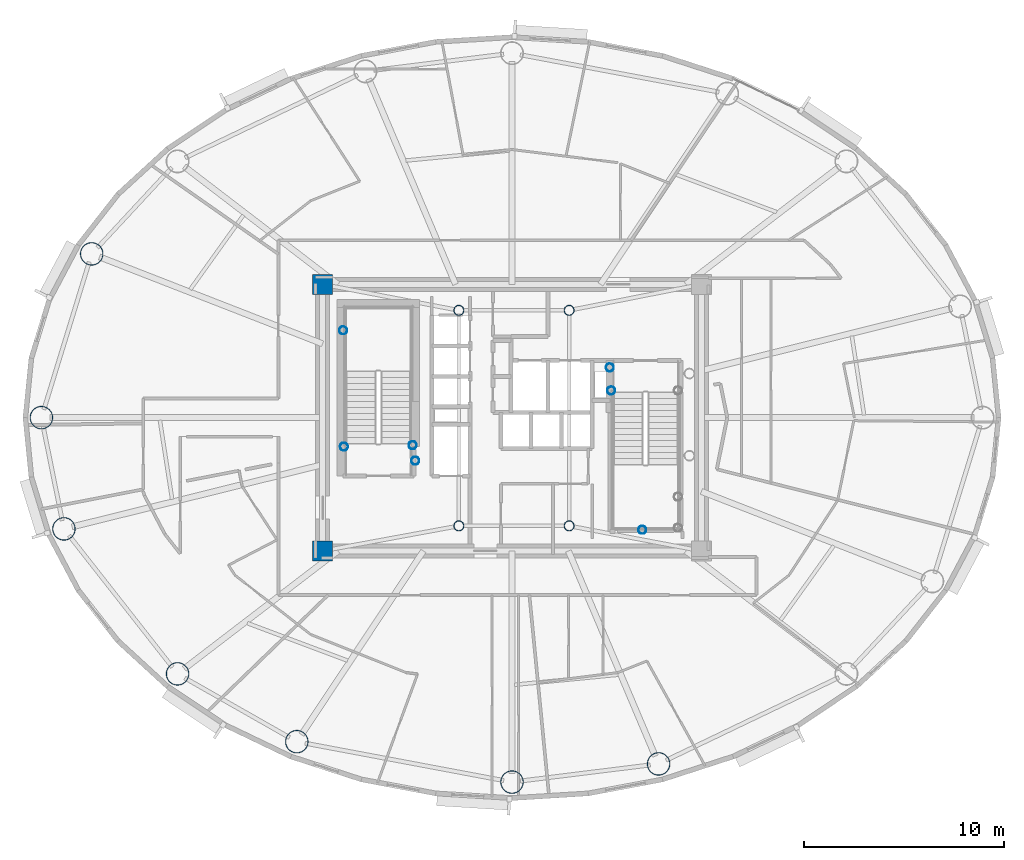
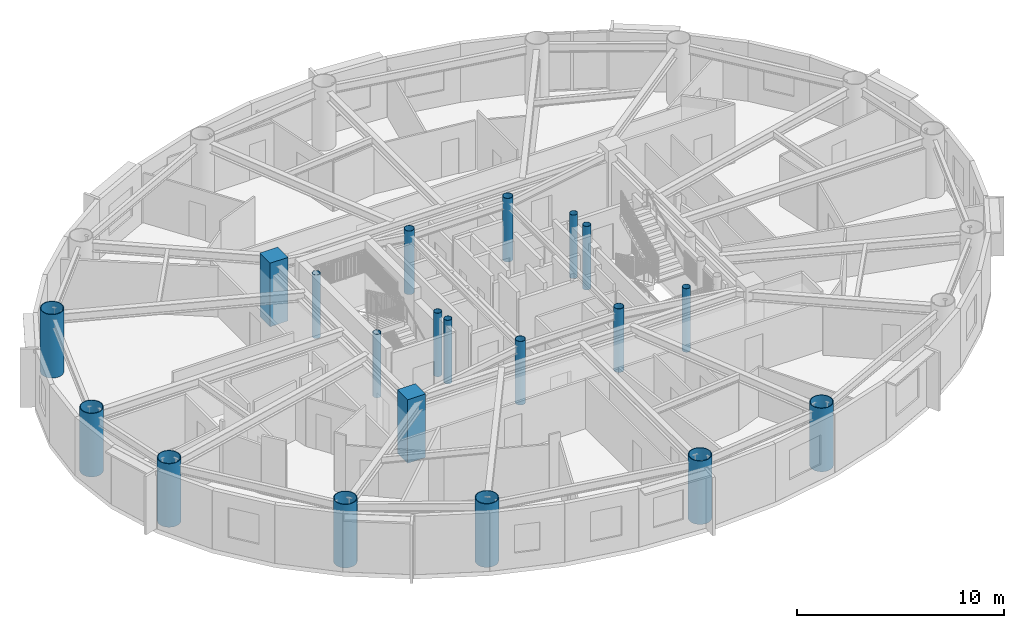
# One storey, part 1 of 18: 20 columns.
"""IFC4 building model written with IfcOpenShell, lengths in metres."""

from ifc_helpers import new_model, si_unit, direction, frame, origin, origin_2d, place, context, subcontext, project, spatial, rectangle, hollow_circle, extrude, material, material_profile, profile_set, type_object, element, save


model = new_model("IFC4")

# Units and contexts
model_context = context("Model", 3, precision=1e-05, world=origin(), true_north=direction((0.0, 1.0)))
body_context = subcontext(model_context, "Body", "Model", "MODEL_VIEW")
ifc_project = project(units=[si_unit("LENGTHUNIT", "METRE"), si_unit("AREAUNIT", "SQUARE_METRE"), si_unit("VOLUMEUNIT", "CUBIC_METRE"), si_unit("PLANEANGLEUNIT", "RADIAN"), si_unit("MASSUNIT", "GRAM", prefix="KILO")], contexts=[model_context])

# Site, building, storey
site_placement = place(None, origin())
site = spatial("IfcSite", under=ifc_project, at=site_placement, CompositionType="ELEMENT")
building_placement = place(site_placement, origin())
building = spatial("IfcBuilding", under=site, at=building_placement, Name="Linh Dai School and Residence Tower", CompositionType="ELEMENT")
storey_placement = place(building_placement, frame((0.0, 0.0, 259.050048828125)))
storey = spatial("IfcBuildingStorey", under=building, at=storey_placement, Name="L64", CompositionType="ELEMENT", Elevation=259.050048828125)

# Columns
ifc_material_1 = material(Name="Concrete B45 (C35/45)", Category="concrete")
ifc_material_profile_1 = material_profile(ifc_material_1, rectangle(XDim=1.0, YDim=1.0, at=origin_2d()), Name="RC 1000x1000")
ifc_profile_set_1 = profile_set([ifc_material_profile_1], Name="Concrete B45 (C35/45)")
column_type_1 = type_object("IfcColumnType", Name="COL-CC3", PredefinedType="COLUMN", material=ifc_profile_set_1)
for number, where, z_axis, x_axis, name in (
    (1, (26.550048828125, 20.35009765625, 0.0), (0.0, 0.0, 1.0), (1.0, 0.0, 0.0), "L64 Core Corner Pier CC1"),
    (2, (26.550048828125, 33.64990234375, 0.0), (0.0, 0.0, 1.0), (1.0, 0.0, 0.0), "L64 Core Corner Pier CC4"),
):
    element("IfcColumn", number, at=place(storey_placement, frame(where, z_axis=z_axis, x_axis=x_axis)), inside=storey, type_object=column_type_1, Name=name, PredefinedType="COLUMN", context=body_context, shape_type="SweptSolid", body=[
        extrude(rectangle(XDim=1.0, YDim=1.0, at=origin_2d()), origin(), (0.0, 0.0, 1.0), 3.75),
    ])
ifc_material_2 = material(Name="Structural Steel S355JR", Category="steel")
ifc_material_profile_2 = material_profile(ifc_material_2, hollow_circle(Radius=0.203125, WallThickness=0.01611328125, at=origin_2d()), Name="CHS 406.4x16")
ifc_profile_set_2 = profile_set([ifc_material_profile_2], Name="Structural Steel S355JR")
column_type_2 = type_object("IfcColumnType", Name="COL-EC", PredefinedType="COLUMN", material=ifc_profile_set_2)
for number, where, z_axis, x_axis, name in (
    (3, (27.580078125, 31.35009765625, 0.0), (0.0, 0.0, 1.0), (1.0, 0.0, 0.0), "L64 Stair Shaft Landing Support Pier ST1NW"),
    (4, (31.050048828125, 25.6201171875, 0.0), (0.0, 0.0, 1.0), (1.0, 0.0, 0.0), "L64 Stair Shaft Landing Support Pier ST1SE"),
    (5, (31.179931640625, 24.85009765625, 0.0), (0.0, 0.0, 1.0), (1.0, 0.0, 0.0), "L64 Stair Shaft Landing Support Pier ST1SM"),
    (6, (27.6201171875, 25.550048828125, 0.0), (0.0, 0.0, 1.0), (1.0, 0.0, 0.0), "L64 Stair Shaft Landing Support Pier ST1SW"),
    (7, (42.5, 21.39990234375, 0.0), (0.0, 0.0, 1.0), (1.0, 0.0, 0.0), "L64 Stair Shaft Landing Support Pier ST2MS"),
    (8, (40.949951171875, 28.35009765625, 0.0), (0.0, 0.0, 1.0), (1.0, 0.0, 0.0), "L64 Stair Shaft Landing Support Pier ST2N1"),
    (9, (40.8798828125, 29.5, 0.0), (0.0, 0.0, 1.0), (1.0, 0.0, 0.0), "L64 Stair Shaft Landing Support Pier ST2N3"),
):
    element("IfcColumn", number, at=place(storey_placement, frame(where, z_axis=z_axis, x_axis=x_axis)), inside=storey, type_object=column_type_2, Name=name, PredefinedType="COLUMN", context=body_context, shape_type="SweptSolid", body=[
        extrude(hollow_circle(Radius=0.203125, WallThickness=0.01611328125, at=origin_2d()), origin(), (0.0, 0.0, 1.0), 3.75),
    ])
ifc_material_profile_3 = material_profile(ifc_material_2, hollow_circle(Radius=0.574951171875, WallThickness=0.035888671875, at=origin_2d()), Name="CHS 1150x36")
ifc_profile_set_3 = profile_set([ifc_material_profile_3], Name="Structural Steel S355JR")
column_type_3 = type_object("IfcColumnType", Name="COL-MC5", PredefinedType="COLUMN", material=ifc_profile_set_3)
for number, where, z_axis, x_axis, name in (
    (10, (15.03466796875, 35.1689453125, 0.0), (0.0, 0.0, 1.0), (1.0, 0.0, 0.0), "L64 Perimeter CFT Mega-Column MC08"),
    (11, (12.52490234375, 27.0, 0.0), (0.0, 0.0, 1.0), (1.0, 0.0, 0.0), "L64 Perimeter CFT Mega-Column MC09"),
    (12, (13.648681640625, 21.45068359375, 0.0), (0.0, 0.0, 1.0), (1.0, 0.0, 0.0), "L64 Perimeter CFT Mega-Column MC10"),
    (13, (19.31689453125, 14.218994140625, 0.0), (0.0, 0.0, 1.0), (1.0, 0.0, 0.0), "L64 Perimeter CFT Mega-Column MC11"),
    (14, (25.265380859375, 10.83642578125, 0.0), (0.0, 0.0, 1.0), (1.0, 0.0, 0.0), "L64 Perimeter CFT Mega-Column MC12"),
    (15, (36.0, 8.820068359375, 0.0), (0.0, 0.0, 1.0), (1.0, 0.0, 0.0), "L64 Perimeter CFT Mega-Column MC13"),
    (16, (43.31201171875, 9.7265625, 0.0), (0.0, 0.0, 1.0), (1.0, 0.0, 0.0), "L64 Perimeter CFT Mega-Column MC14"),
):
    element("IfcColumn", number, at=place(storey_placement, frame(where, z_axis=z_axis, x_axis=x_axis)), inside=storey, type_object=column_type_3, Name=name, PredefinedType="COLUMN", context=body_context, shape_type="SweptSolid", body=[
        extrude(hollow_circle(Radius=0.574951171875, WallThickness=0.035888671875, at=origin_2d()), origin(), (0.0, 0.0, 1.0), 3.75),
    ])
ifc_material_profile_4 = material_profile(ifc_material_2, hollow_circle(Radius=0.25390625, WallThickness=0.02001953125, at=origin_2d()), Name="CHS 508x20")
ifc_profile_set_4 = profile_set([ifc_material_profile_4], Name="Structural Steel S355JR")
column_type_4 = type_object("IfcColumnType", Name="COL-MCP", PredefinedType="COLUMN", material=ifc_profile_set_4)
for number, where, z_axis, x_axis, name in (
    (17, (33.35009765625, 21.60009765625, 0.0), (0.0, 0.0, 1.0), (1.0, 0.0, 0.0), "L64 Core Mast Support Pier MCP1"),
    (18, (38.85009765625, 21.60009765625, 0.0), (0.0, 0.0, 1.0), (1.0, 0.0, 0.0), "L64 Core Mast Support Pier MCP2"),
    (19, (38.85009765625, 32.35009765625, 0.0), (0.0, 0.0, 1.0), (1.0, 0.0, 0.0), "L64 Core Mast Support Pier MCP3"),
    (20, (33.35009765625, 32.35009765625, 0.0), (0.0, 0.0, 1.0), (1.0, 0.0, 0.0), "L64 Core Mast Support Pier MCP4"),
):
    element("IfcColumn", number, at=place(storey_placement, frame(where, z_axis=z_axis, x_axis=x_axis)), inside=storey, type_object=column_type_4, Name=name, PredefinedType="COLUMN", context=body_context, shape_type="SweptSolid", body=[
        extrude(hollow_circle(Radius=0.25390625, WallThickness=0.02001953125, at=origin_2d()), origin(), (0.0, 0.0, 1.0), 3.75),
    ])

save(model, "model.ifc")
